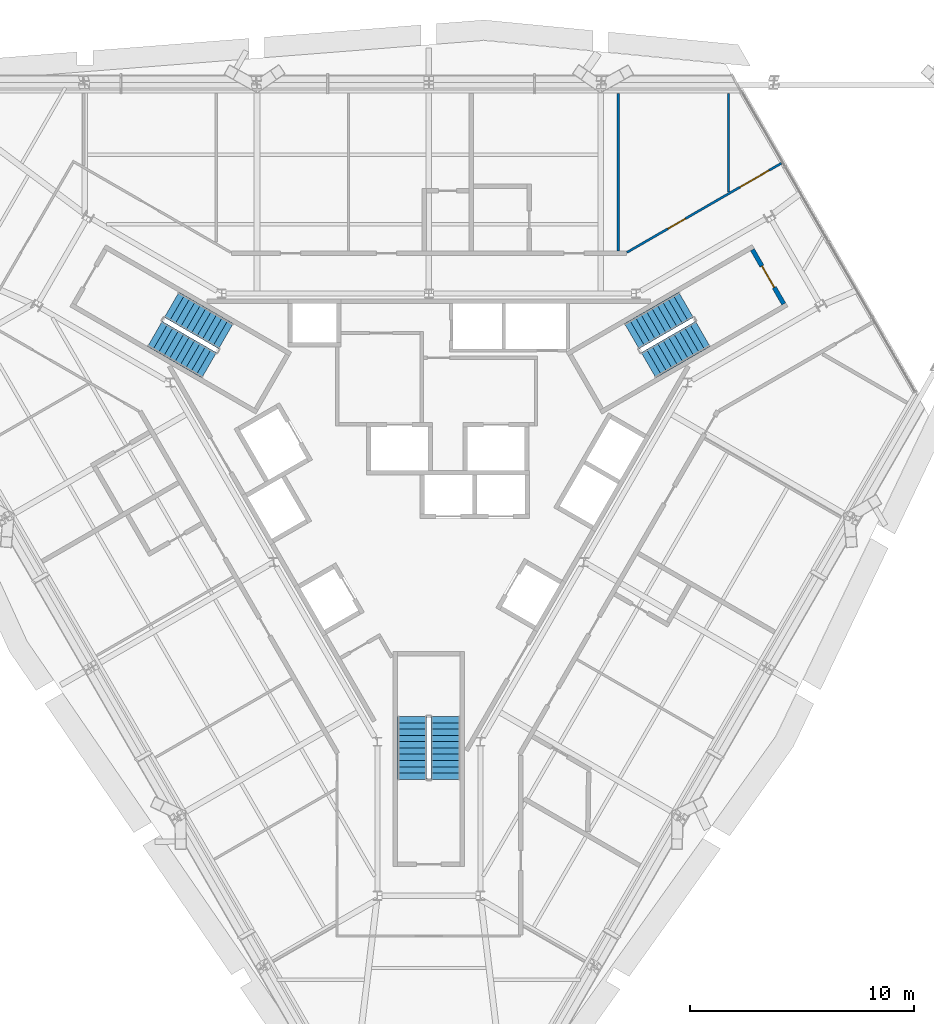
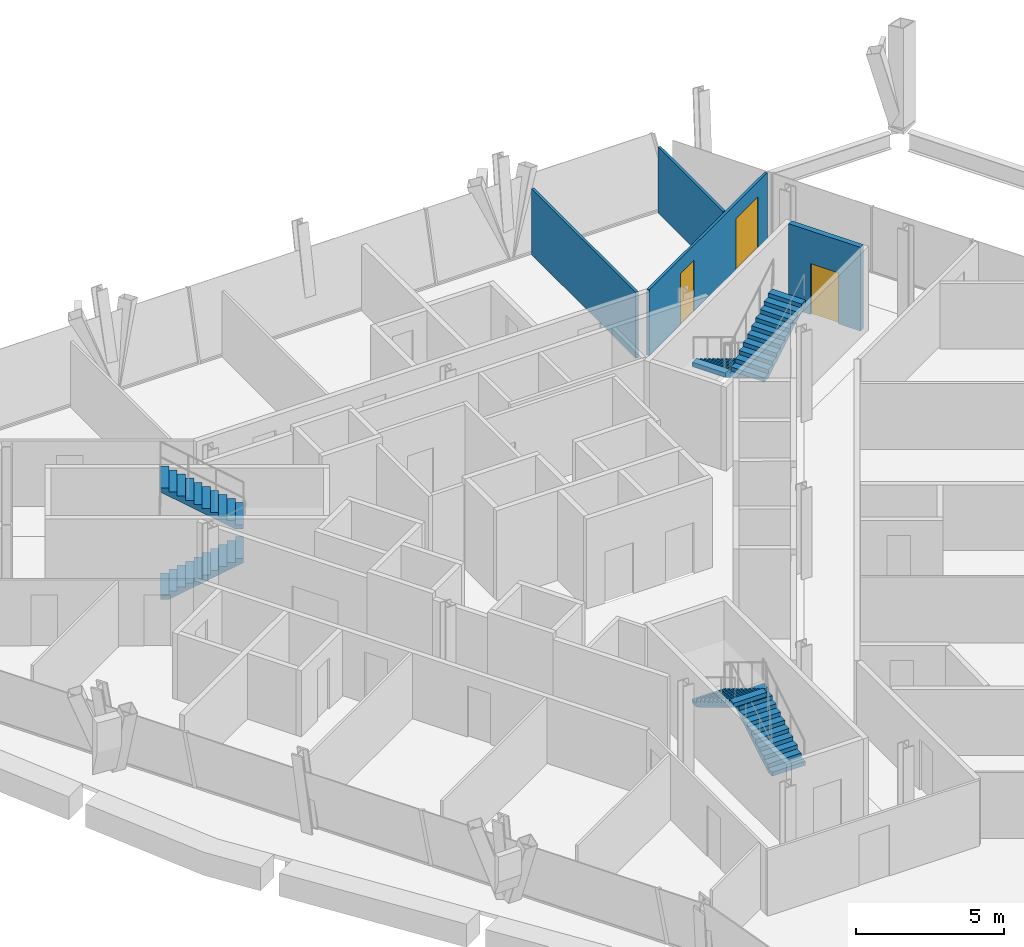
# One storey, part 10 of 12: 6 stair flights, 4 walls, 3 doors, 3 openings, 3 elements without a shape of their own.
"""IFC4 building model written with IfcOpenShell, lengths in metres."""

import ifcopenshell
import ifcopenshell.guid

model = None  # the IFC model being written
_history = None  # IfcOwnerHistory: only IFC2X3 demands one
_inside = {}  # id of a spatial element -> (the spatial element, [elements in it])
_under = {}  # id of a project, library or spatial element -> (it, [spatial elements below it])
_declared = {}  # id of a project -> (the project, [libraries it declares])
_typed = {}  # id of a type object -> (the type object, [elements of that type])
_made_of = {}  # id of a material, layer set ... -> (it, [elements and type objects made of it])


def new_model(schema):
    """Start an empty IFC model of exactly this schema.

    Asked for "IFC4X3", IfcOpenShell would pick the latest addendum, in which some entities
    have other attributes; the version numbers below select the first issue.
    IFC2X3 requires an IfcOwnerHistory on every rooted entity: one is made here for all.
    """
    global model, _history
    if schema == "IFC4X3":
        model = ifcopenshell.file(schema_version=(4, 3, 0, 0))
    else:
        model = ifcopenshell.file(schema=schema)
    _inside.clear()
    _under.clear()
    _declared.clear()
    _typed.clear()
    _made_of.clear()
    _history = None
    if model.schema == "IFC2X3":
        org = make("IfcOrganization", Name="unknown")
        user = make(
            "IfcPersonAndOrganization",
            ThePerson=make("IfcPerson", FamilyName="unknown"),
            TheOrganization=org,
        )
        app = make(
            "IfcApplication",
            ApplicationDeveloper=org,
            Version="unknown",
            ApplicationFullName="unknown",
            ApplicationIdentifier="unknown",
        )
        _history = make(
            "IfcOwnerHistory",
            OwningUser=user,
            OwningApplication=app,
            ChangeAction="ADDED",
            CreationDate=0,
        )
    return model


def make(cls, **values):
    """One entity of the class cls with the attributes given. An attribute that is None is left unset."""
    return model.create_entity(
        cls, **{name: value for name, value in values.items() if value is not None}
    )


def rooted(cls, **values):
    """An entity with a GlobalId (a new one), such as an element, a storey or a relation."""
    return make(cls, GlobalId=ifcopenshell.guid.new(), OwnerHistory=_history, **values)


def si_unit(unit_type, name, prefix=None):
    """IfcSIUnit, for example si_unit("LENGTHUNIT", "METRE", prefix="MILLI")."""
    return make("IfcSIUnit", UnitType=unit_type, Prefix=prefix, Name=name)


def assignment(units):
    """IfcUnitAssignment: the units of a project."""
    return None if units is None else make("IfcUnitAssignment", Units=units)


def point(xyz):
    """IfcCartesianPoint."""
    return None if xyz is None else make("IfcCartesianPoint", Coordinates=xyz)


def direction(xyz):
    """IfcDirection."""
    return None if xyz is None else make("IfcDirection", DirectionRatios=xyz)


def frame(location, z_axis=None, x_axis=None):
    """IfcAxis2Placement3D, a coordinate frame: its origin and axes. An axis left out is left unset."""
    return make(
        "IfcAxis2Placement3D",
        Location=point(location),
        Axis=direction(z_axis),
        RefDirection=direction(x_axis),
    )


def frame_2d(location, x_axis=None):
    """IfcAxis2Placement2D, a coordinate frame in the plane: its origin and x axis."""
    return make(
        "IfcAxis2Placement2D", Location=point(location), RefDirection=direction(x_axis)
    )


def origin():
    """The frame at (0, 0, 0) with its axes left unset."""
    return frame((0.0, 0.0, 0.0))


def place(relative_to, where):
    """IfcLocalPlacement: puts the frame where relative to a parent placement (None: the world)."""
    return make(
        "IfcLocalPlacement", PlacementRelTo=relative_to, RelativePlacement=where
    )


def context(
    kind, dimensions, precision=None, world=None, true_north=None, identifier=None
):
    """IfcGeometricRepresentationContext, for example the 3D "Model" context."""
    return make(
        "IfcGeometricRepresentationContext",
        ContextIdentifier=identifier,
        ContextType=kind,
        CoordinateSpaceDimension=dimensions,
        Precision=precision,
        WorldCoordinateSystem=world,
        TrueNorth=true_north,
    )


def subcontext(parent, identifier, kind, view, scale=None):
    """IfcGeometricRepresentationSubContext, for example "Body" below "Model"."""
    return make(
        "IfcGeometricRepresentationSubContext",
        ContextIdentifier=identifier,
        ContextType=kind,
        ParentContext=parent,
        TargetScale=scale,
        TargetView=view,
    )


def project(units=None, contexts=None):
    """IfcProject with its units and contexts."""
    return rooted(
        "IfcProject",
        Name="project",
        RepresentationContexts=contexts,
        UnitsInContext=assignment(units),
    )


def spatial(cls, under=None, at=None, **own):
    """A site, building, storey or space (cls), placed at a placement, below another one or the project."""
    s = rooted(cls, ObjectPlacement=at, **own)
    if under is not None:
        _under.setdefault(under.id(), (under, []))[1].append(s)
    return s


def polyline(points):
    """IfcPolyline through the points."""
    return make("IfcPolyline", Points=[point(p) for p in points])


def profile(cls, at=None, kind="AREA", **sizes):
    """A parametric profile (cls). Its sizes go by their IFC names, for example OverallWidth=200.0."""
    return make(cls, ProfileType=kind, Position=at, **sizes)


def rectangle(**sizes):
    """IfcRectangleProfileDef."""
    return profile("IfcRectangleProfileDef", **sizes)


def outline(outer, holes=None, kind="AREA"):
    """IfcArbitraryClosedProfileDef: a profile drawn as a closed curve; with holes, ...WithVoids."""
    if holes is None:
        return make("IfcArbitraryClosedProfileDef", ProfileType=kind, OuterCurve=outer)
    return make(
        "IfcArbitraryProfileDefWithVoids",
        ProfileType=kind,
        OuterCurve=outer,
        InnerCurves=holes,
    )


def extrude(swept, where, along, depth):
    """IfcExtrudedAreaSolid: the profile swept, set in the frame where, extruded along a direction by depth."""
    return make(
        "IfcExtrudedAreaSolid",
        SweptArea=swept,
        Position=where,
        ExtrudedDirection=direction(along),
        Depth=depth,
    )


def shape(context_of_items, identifier, shape_type, items):
    """IfcShapeRepresentation: the items that make up one representation, for example the "Body"."""
    return make(
        "IfcShapeRepresentation",
        ContextOfItems=context_of_items,
        RepresentationIdentifier=identifier,
        RepresentationType=shape_type,
        Items=items,
    )


def material(Name=None, Category=None):
    """IfcMaterial."""
    return make("IfcMaterial", Name=Name, Category=Category)


def layer(
    of_material, thickness, ventilated=None, Name=None, Category=None, Priority=None
):
    """IfcMaterialLayer: one layer of a wall or slab, of a material (None: an air gap)."""
    return make(
        "IfcMaterialLayer",
        Material=of_material,
        LayerThickness=thickness,
        IsVentilated=ventilated,
        Name=Name,
        Category=Category,
        Priority=Priority,
    )


def layer_set(layers, Name=None):
    """IfcMaterialLayerSet."""
    return make("IfcMaterialLayerSet", MaterialLayers=layers, LayerSetName=Name)


def made_of(thing, what):
    """Note that an element or type object is made of a material, layer set ...; save() writes the relation."""
    if what is not None:
        _made_of.setdefault(what.id(), (what, []))[1].append(thing)
    return thing


def type_object(cls, material=None, **own):
    """A type object (cls), such as IfcWallType, which elements share."""
    return made_of(rooted(cls, **own), material)


def element(
    cls,
    number,
    at=None,
    inside=None,
    cuts=None,
    type_object=None,
    material=None,
    context=None,
    identifier="Body",
    shape_type=None,
    held_by="IfcProductDefinitionShape",
    body=None,
    shapes=None,
    **own,
):
    """One element of the class cls, such as IfcWall. Its Tag is "e" and its number.

    at: its placement. inside: the storey or other place that contains it. cuts: it is an
    opening in that element (IfcRelVoidsElement). A single representation is given by context,
    identifier, shape_type and body (its items); several are given by shapes. held_by: the class
    of the entity that holds the representations. save() writes the other relations.
    """
    e = rooted(cls, Tag="e%d" % number, ObjectPlacement=at, **own)
    if body is not None:
        shapes = [shape(context, identifier, shape_type, body)]
    if shapes is not None:
        e.Representation = make(held_by, Representations=shapes)
    if inside is not None:
        _inside.setdefault(inside.id(), (inside, []))[1].append(e)
    if cuts is not None:
        rooted(
            "IfcRelVoidsElement", RelatingBuildingElement=cuts, RelatedOpeningElement=e
        )
    if type_object is not None:
        _typed.setdefault(type_object.id(), (type_object, []))[1].append(e)
    return made_of(e, material)


def fill(opening, filler):
    """IfcRelFillsElement: the door or window that sits in an opening."""
    return rooted(
        "IfcRelFillsElement",
        RelatingOpeningElement=opening,
        RelatedBuildingElement=filler,
    )


def aggregate(whole, parts):
    """IfcRelAggregates: a whole, such as a stair, and the parts it consists of."""
    return rooted("IfcRelAggregates", RelatingObject=whole, RelatedObjects=parts)


def save(model, path):
    """Write the relations noted so far, then the file.

    IfcRelAggregates (storeys below a building ...), IfcRelContainedInSpatialStructure (elements
    in a storey), IfcRelDefinesByType, IfcRelAssociatesMaterial and IfcRelDeclares: one each for
    every whole, place, type object, material and project.
    """
    for whole, parts in _under.values():
        aggregate(whole, parts)
    for where, things in _inside.values():
        rooted(
            "IfcRelContainedInSpatialStructure",
            RelatedElements=things,
            RelatingStructure=where,
        )
    for kind, things in _typed.values():
        rooted("IfcRelDefinesByType", RelatedObjects=things, RelatingType=kind)
    for what, things in _made_of.values():
        rooted("IfcRelAssociatesMaterial", RelatedObjects=things, RelatingMaterial=what)
    for by, libraries in _declared.values():
        rooted("IfcRelDeclares", RelatingContext=by, RelatedDefinitions=libraries)
    model.write(path)


model = new_model("IFC4")

# Units and contexts
model_context = context("Model", 3, precision=1e-05, world=origin(), true_north=direction((0.0, 1.0)))
body_context = subcontext(model_context, "Body", "Model", "MODEL_VIEW")
ifc_project = project(units=[si_unit("LENGTHUNIT", "METRE"), si_unit("AREAUNIT", "SQUARE_METRE"), si_unit("VOLUMEUNIT", "CUBIC_METRE"), si_unit("PLANEANGLEUNIT", "RADIAN"), si_unit("MASSUNIT", "GRAM", prefix="KILO")], contexts=[model_context])

# Site, building, storey
site_placement = place(None, origin())
site = spatial("IfcSite", under=ifc_project, at=site_placement, CompositionType="ELEMENT")
building_placement = place(site_placement, origin())
building = spatial("IfcBuilding", under=site, at=building_placement, Name="Verrane Prism Tower", CompositionType="ELEMENT")
storey_placement = place(building_placement, frame((0.0, 0.0, 174.699951171875)))
storey = spatial("IfcBuildingStorey", under=building, at=storey_placement, Name="L43", CompositionType="ELEMENT", Elevation=174.699951171875)

# Wall, opening, door
ifc_material_1 = material(Name="Concrete C40/50", Category="concrete")
ifc_layer_1 = layer(ifc_material_1, 0.199951171875)
ifc_layer_set_1 = layer_set([ifc_layer_1], Name="CW-200 stair core wall concrete C40/50 3 h")
wall_type_1 = type_object("IfcWallType", Name="CW-200 stair core wall concrete C40/50 3 h", PredefinedType="PARTITIONING", material=ifc_layer_set_1)
wall_1_placement = place(storey_placement, frame((15.85546875, 7.53759765625, 0.0), z_axis=(0.0, 0.0, 1.0), x_axis=(-0.500049511043, 0.865996816683, 0.0)))
wall_1 = element("IfcWall", 1, at=wall_1_placement, inside=storey, type_object=wall_type_1, Name="Stair 1 enclosure wall", PredefinedType="PARTITIONING", context=body_context, shape_type="SweptSolid", body=[
    extrude(rectangle(XDim=2.800048828125, YDim=0.199951171875, at=frame_2d((1.39990234375, 0.0))), origin(), (0.0, 0.0, 1.0), 3.449951171875),
])
opening_1_placement = place(wall_1_placement, frame((0.849853515625, 0.0, 0.0)))
opening_1 = element("IfcOpeningElement", 2, at=opening_1_placement, cuts=wall_1, Name="Opening D42500", PredefinedType="OPENING", context=body_context, shape_type="SweptSolid", body=[
    extrude(rectangle(XDim=1.10009765625, YDim=2.10009765625, at=frame_2d((0.550048828125, 1.050048828125))), frame((0.0, 0.10986328125, 0.0), z_axis=(0.0, -1.0, 0.0), x_axis=(1.0, 0.0, 0.0)), (0.0, 0.0, 1.0), 0.219970703125),
])
ifc_material_2 = material(Name="Timber veneered door leaf", Category="wood")
door_type_1 = type_object("IfcDoorType", Name="DR-1100x2100 FD90 single leaf stair", OperationType="NOTDEFINED", PredefinedType="DOOR", material=ifc_material_2)
door_1_placement = place(opening_1_placement, origin())
door_1 = element("IfcDoor", 3, at=door_1_placement, inside=storey, type_object=door_type_1, Name="Stair 1 door", OperationType="SINGLE_SWING_LEFT", OverallHeight=2.10009765625, OverallWidth=1.10009765625, PredefinedType="DOOR", context=body_context, shape_type="SweptSolid", body=[
    extrude(rectangle(XDim=1.10009765625, YDim=2.10009765625, at=frame_2d((0.550048828125, 1.050048828125))), frame((0.0, 0.02490234375, 0.0), z_axis=(0.0, -1.0, 0.0), x_axis=(1.0, 0.0, 0.0)), (0.0, 0.0, 1.0), 0.050048828125),
])
fill(opening_1, door_1)

# Wall
ifc_material_3 = material(Name="Gypsum board partition", Category="other")
ifc_layer_2 = layer(ifc_material_3, 0.10009765625)
ifc_layer_set_2 = layer_set([ifc_layer_2], Name="PW-100 room partition")
wall_type_2 = type_object("IfcWallType", Name="PW-100 room partition", PredefinedType="PARTITIONING", material=ifc_layer_set_2)
wall_2_placement = place(storey_placement, frame((8.45703125, 9.89990234375, 0.0), z_axis=(0.0, 0.0, 1.0), x_axis=(0.0, 1.0, 0.0)))
element("IfcWall", 4, at=wall_2_placement, inside=storey, type_object=wall_type_2, Name="Room partition 035", PredefinedType="PARTITIONING", context=body_context, shape_type="SweptSolid", body=[
    extrude(rectangle(XDim=7.03515625, YDim=0.10009765625, at=frame_2d((3.517578125, 0.0))), origin(), (0.0, 0.0, 1.0), 2.713134765625),
])

# Wall, openings, doors
wall_3_placement = place(storey_placement, frame((8.8515625, 9.842529296875, 0.0), z_axis=(0.0, 0.0, 1.0), x_axis=(0.866086037714, 0.499894964244, 0.0)))
wall_3 = element("IfcWall", 5, at=wall_3_placement, inside=storey, type_object=wall_type_2, Name="Room partition 036", PredefinedType="PARTITIONING", context=body_context, shape_type="SweptSolid", body=[
    extrude(rectangle(XDim=7.963134765625, YDim=0.10009765625, at=frame_2d((3.9814453125, 0.0))), origin(), (0.0, 0.0, 1.0), 2.713134765625),
])
opening_2_placement = place(wall_3_placement, frame((5.833984375, 0.0, 0.0)))
opening_2 = element("IfcOpeningElement", 6, at=opening_2_placement, cuts=wall_3, Name="Opening D42001", PredefinedType="OPENING", context=body_context, shape_type="SweptSolid", body=[
    extrude(rectangle(XDim=1.5, YDim=2.10009765625, at=frame_2d((0.75, 1.050048828125))), frame((0.0, 0.06005859375, 0.0), z_axis=(0.0, -1.0, 0.0), x_axis=(1.0, 0.0, 0.0)), (0.0, 0.0, 1.0), 0.1201171875),
])
opening_3_placement = place(wall_3_placement, frame((2.114990234375, 0.0, 0.0)))
opening_3 = element("IfcOpeningElement", 7, at=opening_3_placement, cuts=wall_3, Name="Opening D42002", PredefinedType="OPENING", context=body_context, shape_type="SweptSolid", body=[
    extrude(rectangle(XDim=0.89990234375, YDim=2.10009765625, at=frame_2d((0.449951171875, 1.050048828125))), frame((0.0, 0.06005859375, 0.0), z_axis=(0.0, -1.0, 0.0), x_axis=(1.0, 0.0, 0.0)), (0.0, 0.0, 1.0), 0.1201171875),
])
ifc_material_4 = material(Name="Timber veneered door leaf", Category="wood")
door_type_2 = type_object("IfcDoorType", Name="DR-1500x2100 double leaf public", OperationType="NOTDEFINED", PredefinedType="DOOR", material=ifc_material_4)
door_2_placement = place(opening_2_placement, origin())
door_2 = element("IfcDoor", 8, at=door_2_placement, inside=storey, type_object=door_type_2, Name="Sky Garden Lounge door", OperationType="DOUBLE_DOOR_SINGLE_SWING", OverallHeight=2.10009765625, OverallWidth=1.5, PredefinedType="DOOR", context=body_context, shape_type="SweptSolid", body=[
    extrude(rectangle(XDim=1.5, YDim=2.10009765625, at=frame_2d((0.75, 1.050048828125))), frame((0.0, 0.02490234375, 0.0), z_axis=(0.0, -1.0, 0.0), x_axis=(1.0, 0.0, 0.0)), (0.0, 0.0, 1.0), 0.050048828125),
])
fill(opening_2, door_2)
ifc_material_5 = material(Name="Timber veneered door leaf", Category="wood")
door_type_3 = type_object("IfcDoorType", Name="DR-900x2100 single leaf unit", OperationType="NOTDEFINED", PredefinedType="DOOR", material=ifc_material_5)
door_3_placement = place(opening_3_placement, origin())
door_3 = element("IfcDoor", 9, at=door_3_placement, inside=storey, type_object=door_type_3, Name="Kitchen door", OperationType="SINGLE_SWING_RIGHT", OverallHeight=2.10009765625, OverallWidth=0.89990234375, PredefinedType="DOOR", context=body_context, shape_type="SweptSolid", body=[
    extrude(rectangle(XDim=0.89990234375, YDim=2.10009765625, at=frame_2d((0.449951171875, 1.050048828125))), frame((0.0, 0.02490234375, 0.0), z_axis=(0.0, -1.0, 0.0), x_axis=(1.0, 0.0, 0.0)), (0.0, 0.0, 1.0), 0.050048828125),
])
fill(opening_3, door_3)

# Wall
wall_4_placement = place(storey_placement, frame((13.385009765625, 12.545654296875, 0.0), z_axis=(0.0, 0.0, 1.0), x_axis=(0.0, 1.0, 0.0)))
element("IfcWall", 10, at=wall_4_placement, inside=storey, type_object=wall_type_2, Name="Room partition 041", PredefinedType="PARTITIONING", context=body_context, shape_type="SweptSolid", body=[
    extrude(rectangle(XDim=4.389404296875, YDim=0.10009765625, at=frame_2d((2.19482421875, 0.0))), origin(), (0.0, 0.0, 1.0), 2.713134765625),
])

# Stair, stair flights
ifc_material_6 = material(Name="Concrete C40/50", Category="concrete")
stair_type = type_object("IfcStairType", Name="Exit stair 1300 dog-leg precast concrete C40/50", PredefinedType="HALF_TURN_STAIR", material=ifc_material_6)
stair_1_placement = place(storey_placement, origin())
stair_1 = element("IfcStair", 11, at=stair_1_placement, inside=storey, type_object=stair_type, Name="Stair 1 L43", PredefinedType="HALF_TURN_STAIR")
ifc_material_7 = material(Name="Concrete C40/50", Category="concrete")
stair_flight_type = type_object("IfcStairFlightType", Name="Stair flight 1300 precast concrete C40/50", PredefinedType="STRAIGHT", material=ifc_material_7)
stair_flight_1_placement = place(storey_placement, frame((11.489501953125, 7.49951171875, 0.0), z_axis=(0.0, 0.0, 1.0), x_axis=(-0.866025403784, -0.5, 0.0)))
stair_flight_1 = element("IfcStairFlight", 12, at=stair_flight_1_placement, type_object=stair_flight_type, Name="Stair 1 flight 1", NumberOfRisers=11, NumberOfTreads=10, PredefinedType="STRAIGHT", RiserHeight=0.168181818, TreadLength=0.28, context=body_context, shape_type="SweptSolid", body=[
    extrude(outline(polyline([(0.0, 0.0), (0.0, 0.168212890625), (0.280029296875, 0.168212890625), (0.280029296875, 0.33642578125), (0.56005859375, 0.33642578125), (0.56005859375, 0.504638671875), (0.840087890625, 0.504638671875), (0.840087890625, 0.672607421875), (1.1201171875, 0.672607421875), (1.1201171875, 0.8408203125), (1.39990234375, 0.8408203125), (1.39990234375, 1.009033203125), (1.679931640625, 1.009033203125), (1.679931640625, 1.17724609375), (1.9599609375, 1.17724609375), (1.9599609375, 1.345458984375), (2.239990234375, 1.345458984375), (2.239990234375, 1.513671875), (2.52001953125, 1.513671875), (2.52001953125, 1.681884765625), (2.800048828125, 1.681884765625), (2.800048828125, 1.85009765625), (2.800048828125, 1.5068359375), (0.291015625, 0.0), (0.0, 0.0)])), frame((0.0, 0.64990234375, 0.0), z_axis=(0.0, -1.0, 0.0), x_axis=(1.0, 0.0, 0.0)), (0.0, 0.0, 1.0), 1.300048828125),
])
stair_flight_2_placement = place(storey_placement, frame((9.814697265625, 4.800537109375, 1.85009765625), z_axis=(0.0, 0.0, 1.0), x_axis=(0.866025403784, 0.5, 0.0)))
stair_flight_2 = element("IfcStairFlight", 13, at=stair_flight_2_placement, type_object=stair_flight_type, Name="Stair 1 flight 2", NumberOfRisers=11, NumberOfTreads=10, PredefinedType="STRAIGHT", RiserHeight=0.168181818, TreadLength=0.28, context=body_context, shape_type="SweptSolid", body=[
    extrude(outline(polyline([(0.0, 0.0), (0.0, 0.168212890625), (0.280029296875, 0.168212890625), (0.280029296875, 0.33642578125), (0.56005859375, 0.33642578125), (0.56005859375, 0.504638671875), (0.840087890625, 0.504638671875), (0.840087890625, 0.672607421875), (1.1201171875, 0.672607421875), (1.1201171875, 0.8408203125), (1.39990234375, 0.8408203125), (1.39990234375, 1.009033203125), (1.679931640625, 1.009033203125), (1.679931640625, 1.17724609375), (1.9599609375, 1.17724609375), (1.9599609375, 1.345458984375), (2.239990234375, 1.345458984375), (2.239990234375, 1.513671875), (2.52001953125, 1.513671875), (2.52001953125, 1.681884765625), (2.800048828125, 1.681884765625), (2.800048828125, 1.85009765625), (2.800048828125, 1.5068359375), (0.291015625, 0.0), (0.0, 0.0)])), frame((0.0, 0.64990234375, 0.0), z_axis=(0.0, -1.0, 0.0), x_axis=(1.0, 0.0, 0.0)), (0.0, 0.0, 1.0), 1.300048828125),
])
aggregate(stair_1, [stair_flight_1, stair_flight_2])

stair_2_placement = place(storey_placement, origin())
stair_2 = element("IfcStair", 14, at=stair_2_placement, inside=storey, type_object=stair_type, Name="Stair 2 L43", PredefinedType="HALF_TURN_STAIR")
stair_flight_3_placement = place(storey_placement, frame((-12.239501953125, 6.200439453125, 0.0), z_axis=(0.0, 0.0, 1.0), x_axis=(0.866025403784, -0.5, 0.0)))
stair_flight_3 = element("IfcStairFlight", 15, at=stair_flight_3_placement, type_object=stair_flight_type, Name="Stair 2 flight 1", NumberOfRisers=11, NumberOfTreads=10, PredefinedType="STRAIGHT", RiserHeight=0.168181818, TreadLength=0.28, context=body_context, shape_type="SweptSolid", body=[
    extrude(outline(polyline([(0.0, 0.0), (0.0, 0.168212890625), (0.280029296875, 0.168212890625), (0.280029296875, 0.33642578125), (0.56005859375, 0.33642578125), (0.56005859375, 0.504638671875), (0.840087890625, 0.504638671875), (0.840087890625, 0.672607421875), (1.1201171875, 0.672607421875), (1.1201171875, 0.8408203125), (1.39990234375, 0.8408203125), (1.39990234375, 1.009033203125), (1.679931640625, 1.009033203125), (1.679931640625, 1.17724609375), (1.9599609375, 1.17724609375), (1.9599609375, 1.345458984375), (2.239990234375, 1.345458984375), (2.239990234375, 1.513671875), (2.52001953125, 1.513671875), (2.52001953125, 1.681884765625), (2.800048828125, 1.681884765625), (2.800048828125, 1.85009765625), (2.800048828125, 1.5068359375), (0.291015625, 0.0), (0.0, 0.0)])), frame((0.0, 0.64990234375, 0.0), z_axis=(0.0, -1.0, 0.0), x_axis=(1.0, 0.0, 0.0)), (0.0, 0.0, 1.0), 1.300048828125),
])
stair_flight_4_placement = place(storey_placement, frame((-9.064697265625, 6.099609375, 1.85009765625), z_axis=(0.0, 0.0, 1.0), x_axis=(-0.866025403784, 0.5, 0.0)))
stair_flight_4 = element("IfcStairFlight", 16, at=stair_flight_4_placement, type_object=stair_flight_type, Name="Stair 2 flight 2", NumberOfRisers=11, NumberOfTreads=10, PredefinedType="STRAIGHT", RiserHeight=0.168181818, TreadLength=0.28, context=body_context, shape_type="SweptSolid", body=[
    extrude(outline(polyline([(0.0, 0.0), (0.0, 0.168212890625), (0.280029296875, 0.168212890625), (0.280029296875, 0.33642578125), (0.56005859375, 0.33642578125), (0.56005859375, 0.504638671875), (0.840087890625, 0.504638671875), (0.840087890625, 0.672607421875), (1.1201171875, 0.672607421875), (1.1201171875, 0.8408203125), (1.39990234375, 0.8408203125), (1.39990234375, 1.009033203125), (1.679931640625, 1.009033203125), (1.679931640625, 1.17724609375), (1.9599609375, 1.17724609375), (1.9599609375, 1.345458984375), (2.239990234375, 1.345458984375), (2.239990234375, 1.513671875), (2.52001953125, 1.513671875), (2.52001953125, 1.681884765625), (2.800048828125, 1.681884765625), (2.800048828125, 1.85009765625), (2.800048828125, 1.5068359375), (0.291015625, 0.0), (0.0, 0.0)])), frame((0.0, 0.64990234375, 0.0), z_axis=(0.0, -1.0, 0.0), x_axis=(1.0, 0.0, 0.0)), (0.0, 0.0, 1.0), 1.300048828125),
])
aggregate(stair_2, [stair_flight_3, stair_flight_4])

stair_3_placement = place(storey_placement, origin())
stair_3 = element("IfcStair", 17, at=stair_3_placement, inside=storey, type_object=stair_type, Name="Stair 3 L43", PredefinedType="HALF_TURN_STAIR")
stair_flight_5_placement = place(storey_placement, frame((0.75, -13.699951171875, 0.0), z_axis=(0.0, 0.0, 1.0), x_axis=(0.0, 1.0, 0.0)))
stair_flight_5 = element("IfcStairFlight", 18, at=stair_flight_5_placement, type_object=stair_flight_type, Name="Stair 3 flight 1", NumberOfRisers=11, NumberOfTreads=10, PredefinedType="STRAIGHT", RiserHeight=0.168181818, TreadLength=0.28, context=body_context, shape_type="SweptSolid", body=[
    extrude(outline(polyline([(0.0, 0.0), (0.0, 0.168212890625), (0.280029296875, 0.168212890625), (0.280029296875, 0.33642578125), (0.56005859375, 0.33642578125), (0.56005859375, 0.504638671875), (0.840087890625, 0.504638671875), (0.840087890625, 0.672607421875), (1.1201171875, 0.672607421875), (1.1201171875, 0.8408203125), (1.39990234375, 0.8408203125), (1.39990234375, 1.009033203125), (1.679931640625, 1.009033203125), (1.679931640625, 1.17724609375), (1.9599609375, 1.17724609375), (1.9599609375, 1.345458984375), (2.239990234375, 1.345458984375), (2.239990234375, 1.513671875), (2.52001953125, 1.513671875), (2.52001953125, 1.681884765625), (2.800048828125, 1.681884765625), (2.800048828125, 1.85009765625), (2.800048828125, 1.5068359375), (0.291015625, 0.0), (0.0, 0.0)])), frame((0.0, 0.64990234375, 0.0), z_axis=(0.0, -1.0, 0.0), x_axis=(1.0, 0.0, 0.0)), (0.0, 0.0, 1.0), 1.300048828125),
])
stair_flight_6_placement = place(storey_placement, frame((-0.75, -10.89990234375, 1.85009765625), z_axis=(0.0, 0.0, 1.0), x_axis=(0.0, -1.0, 0.0)))
stair_flight_6 = element("IfcStairFlight", 19, at=stair_flight_6_placement, type_object=stair_flight_type, Name="Stair 3 flight 2", NumberOfRisers=11, NumberOfTreads=10, PredefinedType="STRAIGHT", RiserHeight=0.168181818, TreadLength=0.28, context=body_context, shape_type="SweptSolid", body=[
    extrude(outline(polyline([(0.0, 0.0), (0.0, 0.168212890625), (0.280029296875, 0.168212890625), (0.280029296875, 0.33642578125), (0.56005859375, 0.33642578125), (0.56005859375, 0.504638671875), (0.840087890625, 0.504638671875), (0.840087890625, 0.672607421875), (1.1201171875, 0.672607421875), (1.1201171875, 0.8408203125), (1.39990234375, 0.8408203125), (1.39990234375, 1.009033203125), (1.679931640625, 1.009033203125), (1.679931640625, 1.17724609375), (1.9599609375, 1.17724609375), (1.9599609375, 1.345458984375), (2.239990234375, 1.345458984375), (2.239990234375, 1.513671875), (2.52001953125, 1.513671875), (2.52001953125, 1.681884765625), (2.800048828125, 1.681884765625), (2.800048828125, 1.85009765625), (2.800048828125, 1.5068359375), (0.291015625, 0.0), (0.0, 0.0)])), frame((0.0, 0.64990234375, 0.0), z_axis=(0.0, -1.0, 0.0), x_axis=(1.0, 0.0, 0.0)), (0.0, 0.0, 1.0), 1.300048828125),
])
aggregate(stair_3, [stair_flight_5, stair_flight_6])

save(model, "model.ifc")
